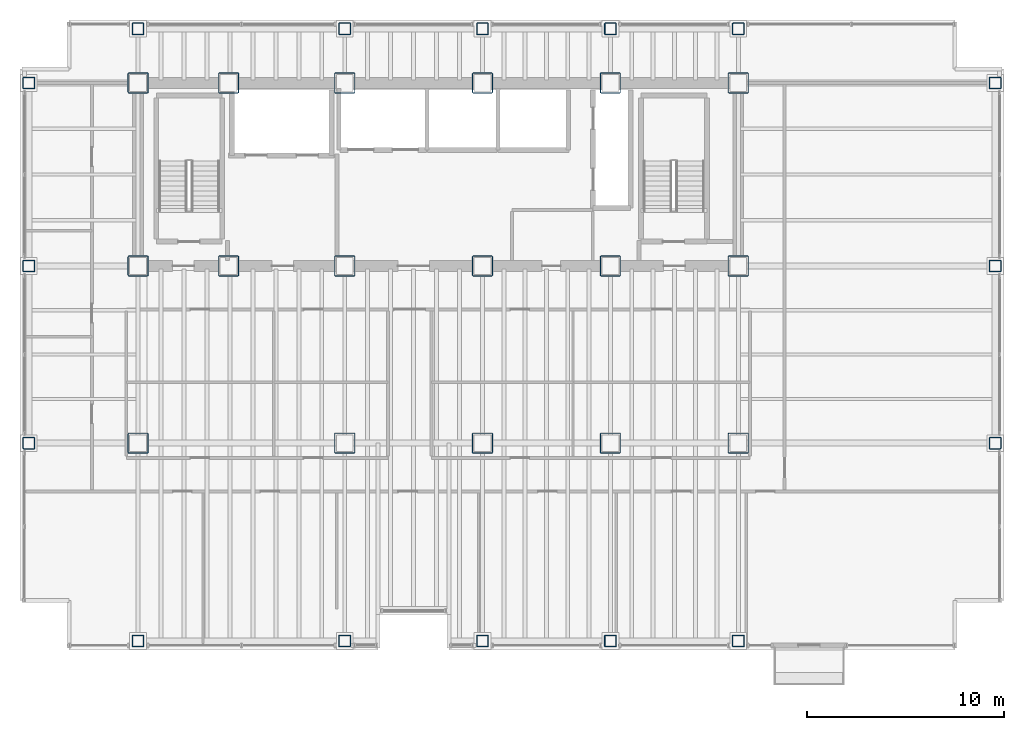
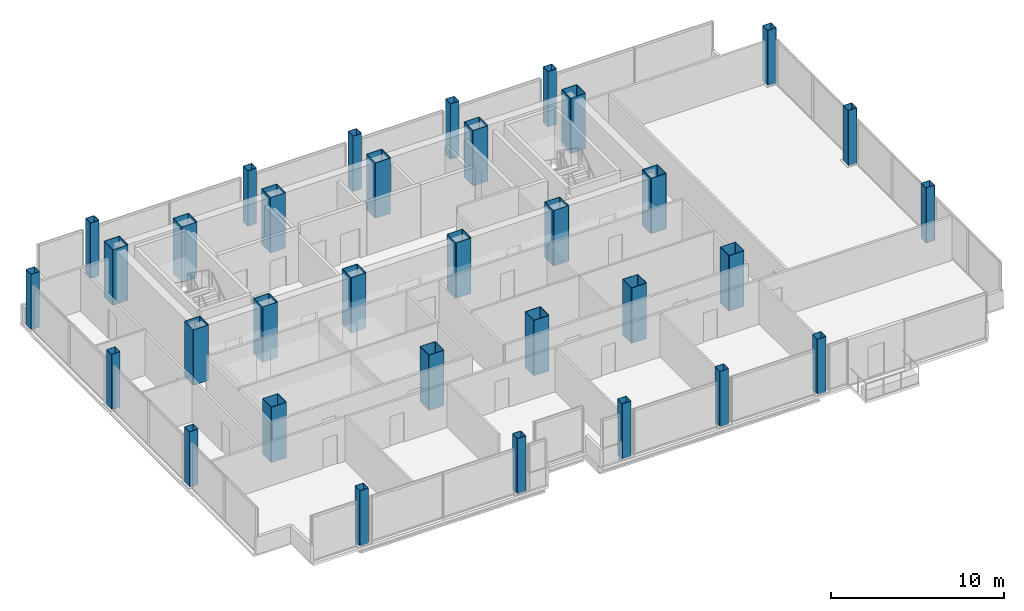
# One storey, part 1 of 22: 33 columns.
"""IFC4 building model written with IfcOpenShell, lengths in metres."""

from ifc_helpers import new_model, si_unit, direction, frame, origin, origin_2d, place, context, subcontext, project, spatial, hollow_rectangle, extrude, material, material_profile, profile_set, type_object, element, save


model = new_model("IFC4")

# Units and contexts
model_context = context("Model", 3, precision=1e-05, world=origin(), true_north=direction((0.0, 1.0)))
body_context = subcontext(model_context, "Body", "Model", "MODEL_VIEW")
ifc_project = project(units=[si_unit("LENGTHUNIT", "METRE"), si_unit("AREAUNIT", "SQUARE_METRE"), si_unit("VOLUMEUNIT", "CUBIC_METRE"), si_unit("PLANEANGLEUNIT", "RADIAN"), si_unit("MASSUNIT", "GRAM", prefix="KILO")], contexts=[model_context])

# Site, building, storey
site_placement = place(None, origin())
site = spatial("IfcSite", under=ifc_project, at=site_placement, CompositionType="ELEMENT")
building_placement = place(site_placement, origin())
building = spatial("IfcBuilding", under=site, at=building_placement, Name="Noeulbin Bourse Tower", CompositionType="ELEMENT")
storey_placement = place(building_placement, frame((0.0, 0.0, 88.89990234375)))
storey = spatial("IfcBuildingStorey", under=building, at=storey_placement, Name="L22", CompositionType="ELEMENT", Elevation=88.89990234375)

# Columns
ifc_material = material(Name="Steel S460", Category="steel")
ifc_material_profile_1 = material_profile(ifc_material, hollow_rectangle(XDim=0.60009765625, YDim=0.60009765625, WallThickness=0.02587890625, InnerFilletRadius=0.012939453125, OuterFilletRadius=0.0390625, at=origin_2d()), Name="BOX-600x600x26", Category="LoadBearing")
ifc_profile_set_1 = profile_set([ifc_material_profile_1], Name="Steel S460")
column_type_1 = type_object("IfcColumnType", Name="COL-PER-Z1", PredefinedType="COLUMN", material=ifc_profile_set_1)
for number, where, z_axis, x_axis, name in (
    (1, (7.949951171875, 20.0, 0.0), (0.0, 0.0, 1.0), (1.0, 0.0, 0.0), "Tower Perimeter Column COL-PER-Z1 01"),
    (2, (7.949951171875, 29.0, 0.0), (0.0, 0.0, 1.0), (1.0, 0.0, 0.0), "Tower Perimeter Column COL-PER-Z1 02"),
    (3, (7.949951171875, 38.300048828125, 0.0), (0.0, 0.0, 1.0), (1.0, 0.0, 0.0), "Tower Perimeter Column COL-PER-Z1 03"),
    (4, (13.5, 9.949951171875, 0.0), (0.0, 0.0, 1.0), (1.0, 0.0, 0.0), "Tower Perimeter Column COL-PER-Z1 04"),
    (5, (13.5, 41.050048828125, 0.0), (0.0, 0.0, 1.0), (1.0, 0.0, 0.0), "Tower Perimeter Column COL-PER-Z1 05"),
    (6, (24.0, 9.949951171875, 0.0), (0.0, 0.0, 1.0), (1.0, 0.0, 0.0), "Tower Perimeter Column COL-PER-Z1 06"),
    (7, (24.0, 41.050048828125, 0.0), (0.0, 0.0, 1.0), (1.0, 0.0, 0.0), "Tower Perimeter Column COL-PER-Z1 07"),
    (8, (31.0, 9.949951171875, 0.0), (0.0, 0.0, 1.0), (1.0, 0.0, 0.0), "Tower Perimeter Column COL-PER-Z1 08"),
    (9, (31.0, 41.050048828125, 0.0), (0.0, 0.0, 1.0), (1.0, 0.0, 0.0), "Tower Perimeter Column COL-PER-Z1 09"),
    (10, (37.5, 9.949951171875, 0.0), (0.0, 0.0, 1.0), (1.0, 0.0, 0.0), "Tower Perimeter Column COL-PER-Z1 10"),
    (11, (37.5, 41.050048828125, 0.0), (0.0, 0.0, 1.0), (1.0, 0.0, 0.0), "Tower Perimeter Column COL-PER-Z1 11"),
    (12, (44.0, 9.949951171875, 0.0), (0.0, 0.0, 1.0), (1.0, 0.0, 0.0), "Tower Perimeter Column COL-PER-Z1 12"),
    (13, (44.0, 41.050048828125, 0.0), (0.0, 0.0, 1.0), (1.0, 0.0, 0.0), "Tower Perimeter Column COL-PER-Z1 13"),
    (14, (57.050048828125, 20.0, 0.0), (0.0, 0.0, 1.0), (1.0, 0.0, 0.0), "Tower Perimeter Column COL-PER-Z1 14"),
    (15, (57.050048828125, 29.0, 0.0), (0.0, 0.0, 1.0), (1.0, 0.0, 0.0), "Tower Perimeter Column COL-PER-Z1 15"),
    (16, (57.050048828125, 38.300048828125, 0.0), (0.0, 0.0, 1.0), (1.0, 0.0, 0.0), "Tower Perimeter Column COL-PER-Z1 16"),
):
    element("IfcColumn", number, at=place(storey_placement, frame(where, z_axis=z_axis, x_axis=x_axis)), inside=storey, type_object=column_type_1, Name=name, PredefinedType="COLUMN", context=body_context, shape_type="SweptSolid", body=[
        extrude(hollow_rectangle(XDim=0.60009765625, YDim=0.60009765625, WallThickness=0.02587890625, InnerFilletRadius=0.012939453125, OuterFilletRadius=0.0390625, at=origin_2d()), origin(), (0.0, 0.0, 1.0), 3.900146484375),
    ])
ifc_material_profile_2 = material_profile(ifc_material, hollow_rectangle(XDim=1.050048828125, YDim=1.050048828125, WallThickness=0.0380859375, InnerFilletRadius=0.01904296875, OuterFilletRadius=0.056884765625, at=origin_2d()), Name="BOX-1050x1050x38", Category="LoadBearing")
ifc_profile_set_2 = profile_set([ifc_material_profile_2], Name="Steel S460")
column_type_2 = type_object("IfcColumnType", Name="COL-TRK-Z1", PredefinedType="COLUMN", material=ifc_profile_set_2)
for number, where, z_axis, x_axis, name in (
    (17, (13.5, 29.0, 0.0), (0.0, 0.0, 1.0), (1.0, 0.0, 0.0), "Tower Trunk Mega-Column COL-TRK-Z1 01"),
    (18, (13.5, 38.300048828125, 0.0), (0.0, 0.0, 1.0), (1.0, 0.0, 0.0), "Tower Trunk Mega-Column COL-TRK-Z1 02"),
    (19, (18.10009765625, 29.0, 0.0), (0.0, 0.0, 1.0), (1.0, 0.0, 0.0), "Tower Trunk Mega-Column COL-TRK-Z1 03"),
    (20, (18.10009765625, 38.300048828125, 0.0), (0.0, 0.0, 1.0), (1.0, 0.0, 0.0), "Tower Trunk Mega-Column COL-TRK-Z1 04"),
    (21, (24.0, 29.0, 0.0), (0.0, 0.0, 1.0), (1.0, 0.0, 0.0), "Tower Trunk Mega-Column COL-TRK-Z1 05"),
    (22, (24.0, 38.300048828125, 0.0), (0.0, 0.0, 1.0), (1.0, 0.0, 0.0), "Tower Trunk Mega-Column COL-TRK-Z1 06"),
    (23, (31.0, 29.0, 0.0), (0.0, 0.0, 1.0), (1.0, 0.0, 0.0), "Tower Trunk Mega-Column COL-TRK-Z1 07"),
    (24, (31.0, 38.300048828125, 0.0), (0.0, 0.0, 1.0), (1.0, 0.0, 0.0), "Tower Trunk Mega-Column COL-TRK-Z1 08"),
    (25, (37.5, 29.0, 0.0), (0.0, 0.0, 1.0), (1.0, 0.0, 0.0), "Tower Trunk Mega-Column COL-TRK-Z1 09"),
    (26, (37.5, 38.300048828125, 0.0), (0.0, 0.0, 1.0), (1.0, 0.0, 0.0), "Tower Trunk Mega-Column COL-TRK-Z1 10"),
    (27, (44.0, 29.0, 0.0), (0.0, 0.0, 1.0), (1.0, 0.0, 0.0), "Tower Trunk Mega-Column COL-TRK-Z1 11"),
    (28, (44.0, 38.300048828125, 0.0), (0.0, 0.0, 1.0), (1.0, 0.0, 0.0), "Tower Trunk Mega-Column COL-TRK-Z1 12"),
    (29, (13.5, 20.0, 0.0), (0.0, 0.0, 1.0), (1.0, 0.0, 0.0), "Tower Trunk Mega-Column COL-TRK-Z1 13"),
    (30, (24.0, 20.0, 0.0), (0.0, 0.0, 1.0), (1.0, 0.0, 0.0), "Tower Trunk Mega-Column COL-TRK-Z1 14"),
    (31, (31.0, 20.0, 0.0), (0.0, 0.0, 1.0), (1.0, 0.0, 0.0), "Tower Trunk Mega-Column COL-TRK-Z1 15"),
    (32, (37.5, 20.0, 0.0), (0.0, 0.0, 1.0), (1.0, 0.0, 0.0), "Tower Trunk Mega-Column COL-TRK-Z1 16"),
    (33, (44.0, 20.0, 0.0), (0.0, 0.0, 1.0), (1.0, 0.0, 0.0), "Tower Trunk Mega-Column COL-TRK-Z1 17"),
):
    element("IfcColumn", number, at=place(storey_placement, frame(where, z_axis=z_axis, x_axis=x_axis)), inside=storey, type_object=column_type_2, Name=name, PredefinedType="COLUMN", context=body_context, shape_type="SweptSolid", body=[
        extrude(hollow_rectangle(XDim=1.050048828125, YDim=1.050048828125, WallThickness=0.0380859375, InnerFilletRadius=0.01904296875, OuterFilletRadius=0.056884765625, at=origin_2d()), origin(), (0.0, 0.0, 1.0), 3.900146484375),
    ])

save(model, "model.ifc")
